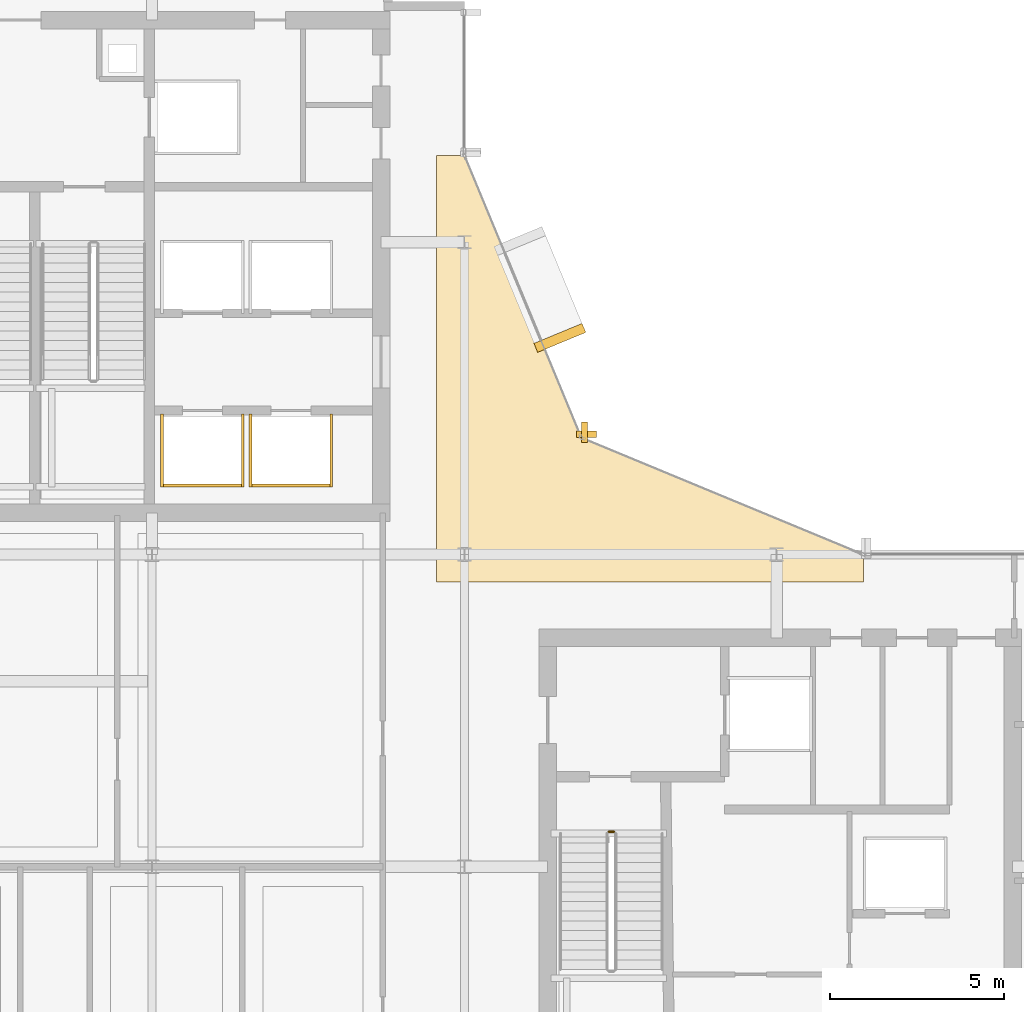
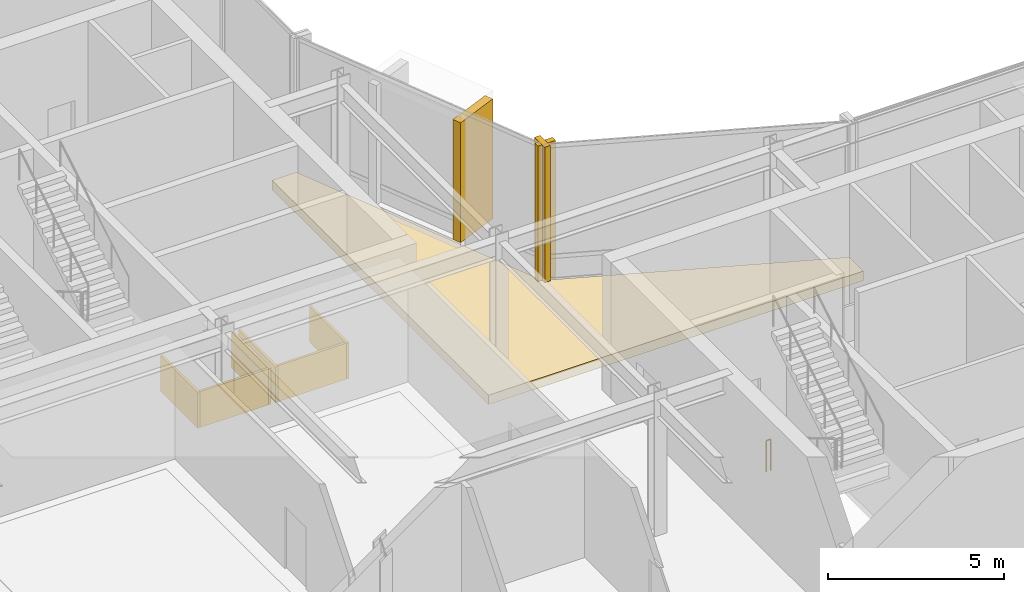
# One storey, part 26 of 28: 10 coverings, 1 railing.
"""IFC4 building model written with IfcOpenShell, lengths in metres."""

from ifc_helpers import new_model, si_unit, direction, frame, origin, origin_2d, place, context, subcontext, project, spatial, polyline, rectangle, circle, outline, extrude, material, layer, layer_set, type_object, element, save


model = new_model("IFC4")

# Units and contexts
model_context = context("Model", 3, precision=1e-05, world=origin(), true_north=direction((0.0, 1.0)))
body_context = subcontext(model_context, "Body", "Model", "MODEL_VIEW")
ifc_project = project(units=[si_unit("LENGTHUNIT", "METRE"), si_unit("AREAUNIT", "SQUARE_METRE"), si_unit("VOLUMEUNIT", "CUBIC_METRE"), si_unit("PLANEANGLEUNIT", "RADIAN"), si_unit("MASSUNIT", "GRAM", prefix="KILO")], contexts=[model_context])

# Site, building, storey
site_placement = place(None, origin())
site = spatial("IfcSite", under=ifc_project, at=site_placement, CompositionType="ELEMENT")
building_placement = place(site_placement, origin())
building = spatial("IfcBuilding", under=site, at=building_placement, Name="Solvaryn Broadcast Tower", CompositionType="ELEMENT")
storey_placement = place(building_placement, frame((0.0, 0.0, 201.199951171875)))
storey = spatial("IfcBuildingStorey", under=building, at=storey_placement, Name="L50", CompositionType="ELEMENT", Elevation=201.199951171875)

# Coverings
ifc_material_1 = material(Name="Fire-Rated Gypsum Shaftwall Liner", Category="concrete")
ifc_layer_1 = layer(ifc_material_1, 0.080078125)
ifc_layer_set_1 = layer_set([ifc_layer_1], Name="CV-SHAFT-LINER")
covering_type_1 = type_object("IfcCoveringType", Name="CV-SHAFT-LINER", PredefinedType="CLADDING", material=ifc_layer_set_1)
covering_1_placement = place(storey_placement, frame((19.449951171875, 28.985107421875, 0.0), z_axis=(0.0, 0.0, 1.0), x_axis=(1.0, 0.0, 0.0)))
element("IfcCovering", 1, at=covering_1_placement, inside=storey, type_object=covering_type_1, Name="L50 PH1 Hoistway Shaft Liner South", PredefinedType="CLADDING", context=body_context, shape_type="SweptSolid", body=[
    extrude(rectangle(XDim=2.409912109375, YDim=0.080078125, at=origin_2d()), origin(), (0.0, 0.0, 1.0), 1.25),
])
for number, where, z_axis, x_axis, name in (
    (2, (20.614990234375, 30.0, 0.0), (0.0, 0.0, 1.0), (1.0, 0.0, 0.0), "L50 PH1 Hoistway Shaft Liner East"),
    (3, (18.284912109375, 30.0, 0.0), (0.0, 0.0, 1.0), (1.0, 0.0, 0.0), "L50 PH1 Hoistway Shaft Liner West"),
):
    element("IfcCovering", number, at=place(storey_placement, frame(where, z_axis=z_axis, x_axis=x_axis)), inside=storey, type_object=covering_type_1, Name=name, PredefinedType="CLADDING", context=body_context, shape_type="SweptSolid", body=[
        extrude(rectangle(XDim=0.080078125, YDim=2.110107421875, at=origin_2d()), origin(), (0.0, 0.0, 1.0), 1.25),
    ])
covering_2_placement = place(storey_placement, frame((22.0, 28.985107421875, 0.0), z_axis=(0.0, 0.0, 1.0), x_axis=(1.0, 0.0, 0.0)))
element("IfcCovering", 4, at=covering_2_placement, inside=storey, type_object=covering_type_1, Name="L50 PH2 Hoistway Shaft Liner South", PredefinedType="CLADDING", context=body_context, shape_type="SweptSolid", body=[
    extrude(rectangle(XDim=2.409912109375, YDim=0.080078125, at=origin_2d()), origin(), (0.0, 0.0, 1.0), 1.25),
])
for number, where, z_axis, x_axis, name in (
    (5, (23.1650390625, 30.0, 0.0), (0.0, 0.0, 1.0), (1.0, 0.0, 0.0), "L50 PH2 Hoistway Shaft Liner East"),
    (6, (20.8349609375, 30.0, 0.0), (0.0, 0.0, 1.0), (1.0, 0.0, 0.0), "L50 PH2 Hoistway Shaft Liner West"),
):
    element("IfcCovering", number, at=place(storey_placement, frame(where, z_axis=z_axis, x_axis=x_axis)), inside=storey, type_object=covering_type_1, Name=name, PredefinedType="CLADDING", context=body_context, shape_type="SweptSolid", body=[
        extrude(rectangle(XDim=0.080078125, YDim=2.110107421875, at=origin_2d()), origin(), (0.0, 0.0, 1.0), 1.25),
    ])
ifc_material_2 = material(Name="Glazed Architectural Terracotta Rainscreen Cladding", Category="masonry")
ifc_layer_2 = layer(ifc_material_2, 0.280029296875)
ifc_layer_set_2 = layer_set([ifc_layer_2], Name="CV-TC-CLAD")
covering_type_2 = type_object("IfcCoveringType", Name="CV-TC-CLAD", PredefinedType="CLADDING", material=ifc_layer_set_2)
covering_3_placement = place(storey_placement, frame((29.751953125, 33.241943359375, 0.2802734375), z_axis=(0.0, 0.0, 1.0), x_axis=(-0.382683432365, 0.923879532511, 0.0)))
element("IfcCovering", 7, at=covering_3_placement, inside=storey, type_object=covering_type_2, Name="L50 Projecting Stone Window Box Cheek 5-1", PredefinedType="CLADDING", context=body_context, shape_type="SweptSolid", body=[
    extrude(rectangle(XDim=0.280029296875, YDim=1.5, at=origin_2d()), origin(), (0.0, 0.0, 1.0), 4.159912109375),
])
ifc_material_3 = material(Name="Extruded Architectural Terracotta Fin", Category="masonry")
ifc_layer_3 = layer(ifc_material_3, 0.179931640625)
ifc_layer_set_3 = layer_set([ifc_layer_3], Name="CV-TC-FIN")
covering_type_3 = type_object("IfcCoveringType", Name="CV-TC-FIN", PredefinedType="USERDEFINED", material=ifc_layer_set_3)
covering_4_placement = place(storey_placement, frame((30.464599609375, 30.52294921875, 0.0), z_axis=(0.0, 0.0, 1.0), x_axis=(1.0, 0.0, 0.0)))
element("IfcCovering", 8, at=covering_4_placement, inside=storey, type_object=covering_type_3, Name="L50 Terracotta Vertical Fin FIN-L50-CN1-M01", ObjectType="FIN", PredefinedType="USERDEFINED", context=body_context, shape_type="SweptSolid", body=[
    extrude(rectangle(XDim=0.179931640625, YDim=0.580078125, at=origin_2d()), origin(), (0.0, 0.0, 1.0), 4.719970703125),
])
covering_5_placement = place(storey_placement, frame((30.52294921875, 30.464599609375, 0.0), z_axis=(0.0, 0.0, 1.0), x_axis=(1.0, 0.0, 0.0)))
element("IfcCovering", 9, at=covering_5_placement, inside=storey, type_object=covering_type_3, Name="L50 Terracotta Vertical Fin FIN-L50-CN2-M00", ObjectType="FIN", PredefinedType="USERDEFINED", context=body_context, shape_type="SweptSolid", body=[
    extrude(rectangle(XDim=0.580078125, YDim=0.179931640625, at=origin_2d()), origin(), (0.0, 0.0, 1.0), 4.719970703125),
])
ifc_material_4 = material(Name="Sculpted Architectural Terracotta Wave Fascia", Category="masonry")
ifc_layer_4 = layer(ifc_material_4, 0.340087890625)
ifc_layer_set_4 = layer_set([ifc_layer_4], Name="CV-WAVE-TRAY")
covering_type_4 = type_object("IfcCoveringType", Name="CV-WAVE-TRAY", PredefinedType="CLADDING", material=ifc_layer_set_4)
covering_6_placement = place(storey_placement, frame((0.0, 0.0, -0.300048828125)))
element("IfcCovering", 10, at=covering_6_placement, inside=storey, type_object=covering_type_4, Name="L50 Concave Canyon Floor Apron", PredefinedType="CLADDING", context=body_context, shape_type="SweptSolid", body=[
    extrude(outline(polyline([(26.199951171875, 26.199951171875), (38.5, 26.199951171875), (38.5, 27.0), (30.367919921875, 30.367919921875), (27.0, 38.5), (26.199951171875, 38.5), (26.199951171875, 26.199951171875)])), origin(), (0.0, 0.0, 1.0), 0.330078125),
])

# Railing
ifc_material_5 = material(Name="Painted Steel Stair Well Guard", Category="steel")
railing_type = type_object("IfcRailingType", Name="RL-STAIR-GUARD", PredefinedType="BALUSTRADE", material=ifc_material_5)
railing_placement = place(storey_placement, frame((31.159912109375, 19.010009765625, 0.0)))
element("IfcRailing", 11, at=railing_placement, inside=storey, type_object=railing_type, Name="L50 ST3 stair guard 4", PredefinedType="BALUSTRADE", context=body_context, shape_type="SweptSolid", body=[
    extrude(circle(Radius=0.02392578125, at=origin_2d()), frame((0.0, 0.0, 1.076171875), z_axis=(1.0, 0.0, 0.0), x_axis=(0.0, 1.0, 0.0)), (0.0, 0.0, 1.0), 0.150146484375),
    extrude(circle(Radius=0.02099609375, at=origin_2d()), origin(), (0.0, 0.0, 1.0), 1.052001953125),
    extrude(circle(Radius=0.02099609375, at=origin_2d()), frame((0.150146484375, 0.0, 0.0)), (0.0, 0.0, 1.0), 1.052001953125),
])

save(model, "model.ifc")
